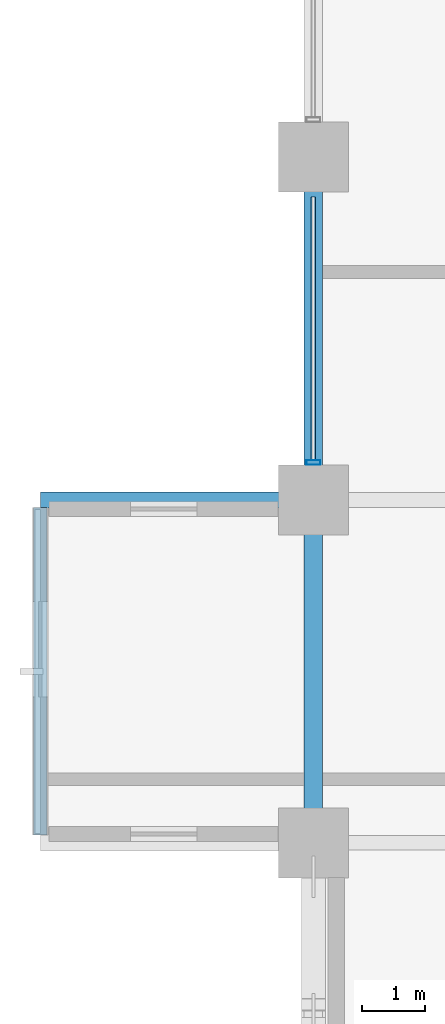
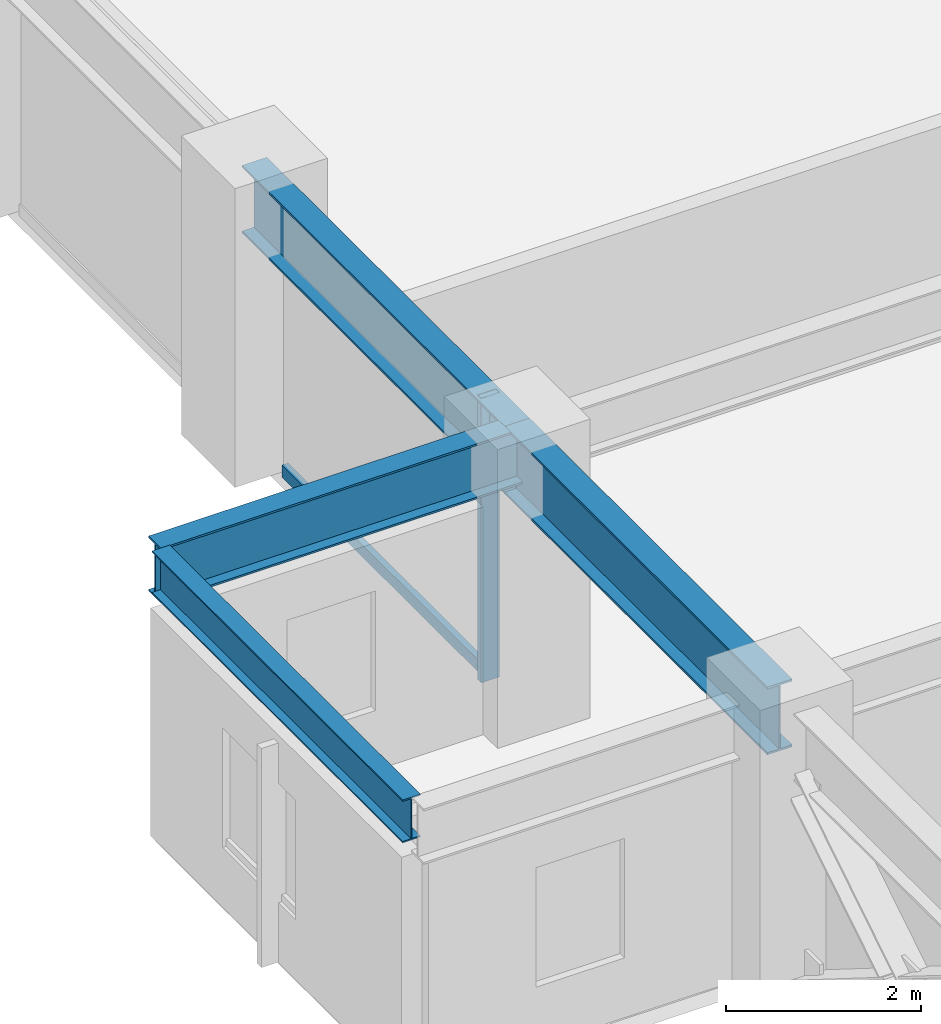
# One storey, part 5 of 29: 4 beams, 2 members, 1 element without a shape of its own.
"""IFC4 building model written with IfcOpenShell, lengths in metres."""

from ifc_helpers import new_model, si_unit, direction, frame, origin, origin_2d, place, context, subcontext, project, spatial, hollow_rectangle, i_section, extrude, material, layer, layer_set, material_profile, profile_set, type_object, element, aggregate, save


model = new_model("IFC4")

# Units and contexts
model_context = context("Model", 3, precision=1e-05, world=origin(), true_north=direction((0.0, 1.0)))
body_context = subcontext(model_context, "Body", "Model", "MODEL_VIEW")
ifc_project = project(units=[si_unit("LENGTHUNIT", "METRE"), si_unit("AREAUNIT", "SQUARE_METRE"), si_unit("VOLUMEUNIT", "CUBIC_METRE"), si_unit("PLANEANGLEUNIT", "RADIAN"), si_unit("MASSUNIT", "GRAM", prefix="KILO")], contexts=[model_context])

# Site, building, storey
site_placement = place(None, origin())
site = spatial("IfcSite", under=ifc_project, at=site_placement, CompositionType="ELEMENT")
building_placement = place(site_placement, origin())
building = spatial("IfcBuilding", under=site, at=building_placement, Name="Surkhivell Harbour Commons", CompositionType="ELEMENT")
storey_placement = place(building_placement, frame((0.0, 0.0, 87.0)))
storey = spatial("IfcBuildingStorey", under=building, at=storey_placement, Name="L22", CompositionType="ELEMENT", Elevation=87.0)

# Beams
ifc_material_1 = material(Name="Steel S460", Category="steel")
ifc_material_profile_1 = material_profile(ifc_material_1, i_section(OverallWidth=0.256103515625, OverallDepth=0.693115234375, WebThickness=0.014404296875, FlangeThickness=0.023681640625, at=origin_2d()), Name="UB686x254x170")
ifc_profile_set_1 = profile_set([ifc_material_profile_1], Name="Steel S460")
beam_type_1 = type_object("IfcBeamType", Name="BM-CNT-686", PredefinedType="BEAM", material=ifc_profile_set_1)
beam_1_placement = place(storey_placement, frame((-32.39990234375, -5.39990234375, 3.223388671875), z_axis=(-1.0, 0.0, 0.0), x_axis=(0.0, -1.0, 0.0)))
element("IfcBeam", 1, at=beam_1_placement, inside=storey, type_object=beam_type_1, Name="L22 Box Cantilever Outrigger (-32.4,-5.4)", PredefinedType="BEAM", context=body_context, shape_type="SweptSolid", body=[
    extrude(i_section(OverallWidth=0.256103515625, OverallDepth=0.693115234375, WebThickness=0.014404296875, FlangeThickness=0.023681640625, at=origin_2d()), origin(), (0.0, 0.0, 1.0), 4.300048828125),
])
ifc_material_2 = material(Name="Steel S355", Category="steel")
ifc_material_profile_2 = material_profile(ifc_material_2, i_section(OverallWidth=0.2099609375, OverallDepth=0.537109375, WebThickness=0.0107421875, FlangeThickness=0.017333984375, at=origin_2d()), Name="UB533x210x101")
ifc_profile_set_2 = profile_set([ifc_material_profile_2], Name="Steel S355")
beam_type_2 = type_object("IfcBeamType", Name="BM-GRD-533B", PredefinedType="BEAM", material=ifc_profile_set_2)
beam_2_placement = place(storey_placement, frame((-36.699951171875, -10.677978515625, 3.301513671875), z_axis=(0.0, 1.0, 0.0), x_axis=(-1.0, 0.0, 0.0)))
element("IfcBeam", 2, at=beam_2_placement, inside=storey, type_object=beam_type_2, Name="L22 Box Rim Spandrel (-36.7,-10.8)", PredefinedType="BEAM", context=body_context, shape_type="SweptSolid", body=[
    extrude(i_section(OverallWidth=0.2099609375, OverallDepth=0.537109375, WebThickness=0.0107421875, FlangeThickness=0.017333984375, at=origin_2d()), origin(), (0.0, 0.0, 1.0), 5.156005859375),
])
ifc_material_profile_3 = material_profile(ifc_material_1, i_section(OverallWidth=0.2939453125, OverallDepth=0.85107421875, WebThickness=0.01611328125, FlangeThickness=0.02685546875, at=origin_2d()), Name="UB838x292x226")
ifc_profile_set_3 = profile_set([ifc_material_profile_3], Name="Steel S460")
beam_type_3 = type_object("IfcBeamType", Name="BM-SPN-838", PredefinedType="SPANDREL", material=ifc_profile_set_3)
beam_3_placement = place(storey_placement, frame((-32.39990234375, -10.800048828125, 3.14453125), z_axis=(0.0, 1.0, 0.0), x_axis=(-1.0, 0.0, 0.0)))
element("IfcBeam", 3, at=beam_3_placement, inside=storey, type_object=beam_type_3, Name="L22 Tube Spandrel (-32.4,-10.8)", PredefinedType="SPANDREL", context=body_context, shape_type="SweptSolid", body=[
    extrude(i_section(OverallWidth=0.2939453125, OverallDepth=0.85107421875, WebThickness=0.01611328125, FlangeThickness=0.02685546875, at=origin_2d()), origin(), (0.0, 0.0, 1.0), 5.400146484375),
])
beam_4_placement = place(storey_placement, frame((-32.39990234375, -5.39990234375, 3.14453125), z_axis=(0.0, 1.0, 0.0), x_axis=(-1.0, 0.0, 0.0)))
element("IfcBeam", 4, at=beam_4_placement, inside=storey, type_object=beam_type_3, Name="L22 Tube Spandrel (-32.4,-5.4)", PredefinedType="SPANDREL", context=body_context, shape_type="SweptSolid", body=[
    extrude(i_section(OverallWidth=0.2939453125, OverallDepth=0.85107421875, WebThickness=0.01611328125, FlangeThickness=0.02685546875, at=origin_2d()), origin(), (0.0, 0.0, 1.0), 5.39990234375),
])

# Curtain wall, members
ifc_material_3 = material(Name="Anodised pale-metal aluminium and insulated glazing", Category="aluminium")
ifc_layer = layer(ifc_material_3, 0.205078125)
ifc_layer_set = layer_set([ifc_layer], Name="Anodised pale-metal aluminium and insulated glazing")
curtain_wall_type = type_object("IfcCurtainWallType", Name="CW-SYS-Z2", PredefinedType="NOTDEFINED", material=ifc_layer_set)
curtain_wall_placement = place(storey_placement, origin())
curtain_wall = element("IfcCurtainWall", 5, at=curtain_wall_placement, inside=storey, type_object=curtain_wall_type, Name="L22 Curtain Wall CW-L22-E12R2", PredefinedType="NOTDEFINED")
ifc_material_4 = material(Name="Anodised pale-metal aluminium alloy 6063-T6", Category="aluminium")
ifc_material_profile_4 = material_profile(ifc_material_4, hollow_rectangle(XDim=0.074951171875, YDim=0.219970703125, WallThickness=0.00390625, at=origin_2d()), Name="ALU-MULL-75x220")
ifc_profile_set_4 = profile_set([ifc_material_profile_4], Name="Anodised pale-metal aluminium alloy 6063-T6")
member_type_1 = type_object("IfcMemberType", Name="CWM-220", PredefinedType="MULLION", material=ifc_profile_set_4)
member_1_placement = place(storey_placement, frame((-32.39990234375, -4.810546875, 0.0), z_axis=(0.0, 0.0, 1.0), x_axis=(0.0, 1.0, 0.0)))
member_1 = element("IfcMember", 6, at=member_1_placement, type_object=member_type_1, Name="CW-Z2 mullion 1", PredefinedType="MULLION", context=body_context, shape_type="SweptSolid", body=[
    extrude(hollow_rectangle(XDim=0.074951171875, YDim=0.219970703125, WallThickness=0.00390625, at=origin_2d()), origin(), (0.0, 0.0, 1.0), 3.570068359375),
])
ifc_material_profile_5 = material_profile(ifc_material_4, hollow_rectangle(XDim=0.074951171875, YDim=0.14990234375, WallThickness=0.00341796875, at=origin_2d()), Name="ALU-TRAN-75x150")
ifc_profile_set_5 = profile_set([ifc_material_profile_5], Name="Anodised pale-metal aluminium alloy 6063-T6")
member_type_2 = type_object("IfcMemberType", Name="CWT-150", PredefinedType="USERDEFINED", material=ifc_profile_set_5)
member_2_placement = place(storey_placement, frame((-32.39990234375, -4.77294921875, 0.074951171875), z_axis=(0.0, 1.0, 0.0), x_axis=(-1.0, 0.0, 0.0)))
member_2 = element("IfcMember", 7, at=member_2_placement, type_object=member_type_2, Name="CW-Z2 transom 1.1", ObjectType="TRANSOM", PredefinedType="USERDEFINED", context=body_context, shape_type="SweptSolid", body=[
    extrude(hollow_rectangle(XDim=0.074951171875, YDim=0.14990234375, WallThickness=0.00341796875, at=origin_2d()), origin(), (0.0, 0.0, 1.0), 4.14599609375),
])
aggregate(curtain_wall, [member_1, member_2])

save(model, "model.ifc")
